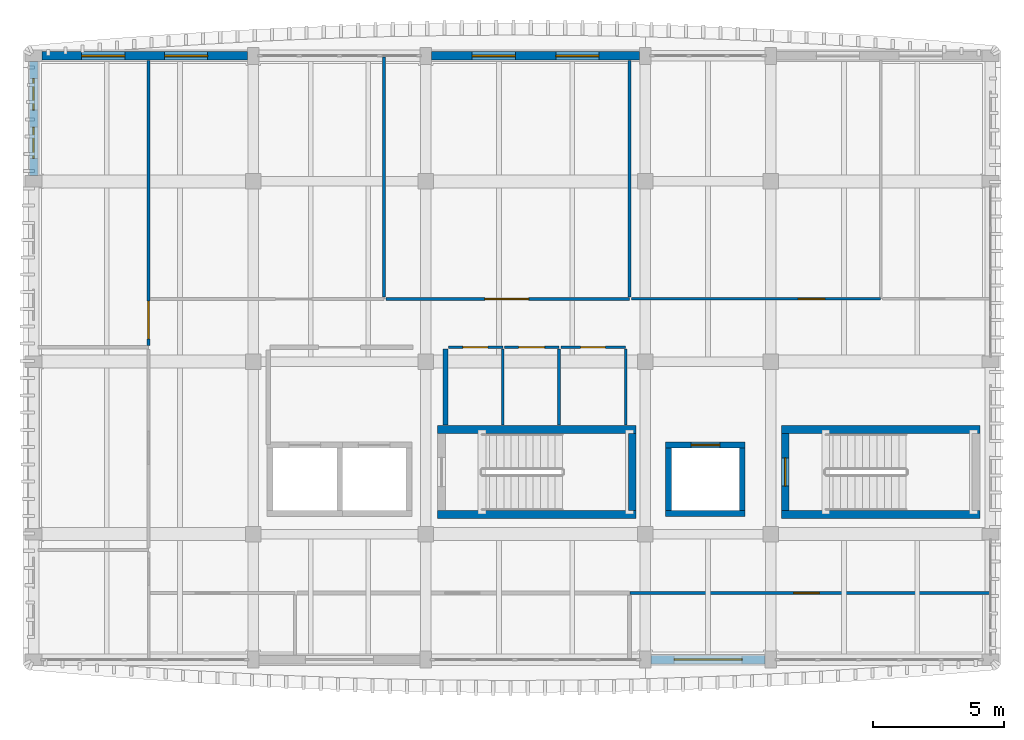
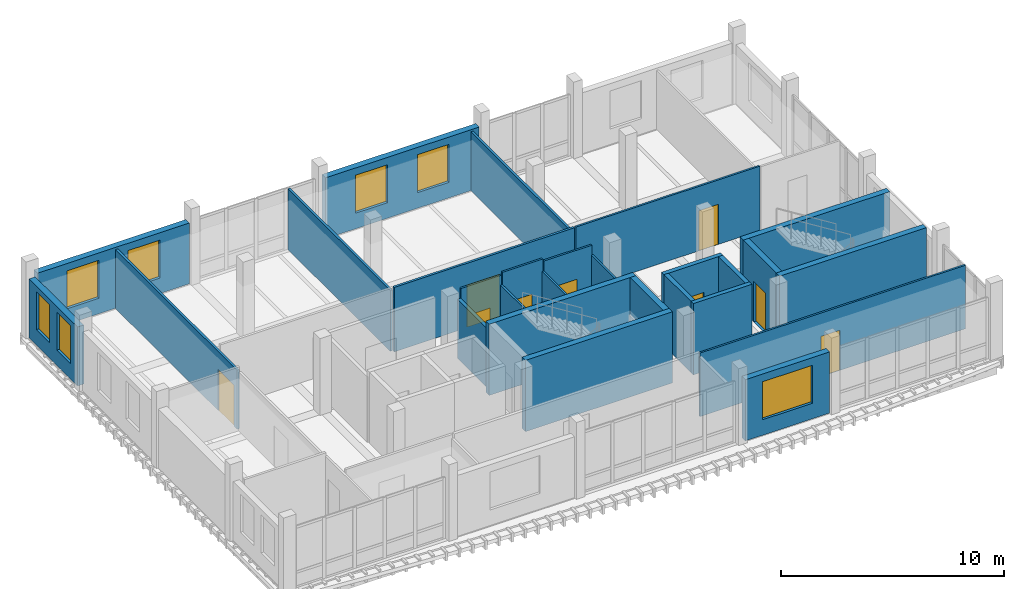
# One storey, part 8 of 16: 27 walls, 9 doors, 7 windows, 16 openings.
"""IFC4 building model written with IfcOpenShell, lengths in metres."""

from ifc_helpers import new_model, si_unit, direction, frame, frame_2d, origin, place, context, subcontext, project, spatial, rectangle, extrude, material, layer, layer_set, type_object, element, fill, save


model = new_model("IFC4")

# Units and contexts
model_context = context("Model", 3, precision=1e-05, world=origin(), true_north=direction((0.0, 1.0)))
body_context = subcontext(model_context, "Body", "Model", "MODEL_VIEW")
ifc_project = project(units=[si_unit("LENGTHUNIT", "METRE"), si_unit("AREAUNIT", "SQUARE_METRE"), si_unit("VOLUMEUNIT", "CUBIC_METRE"), si_unit("PLANEANGLEUNIT", "RADIAN"), si_unit("MASSUNIT", "GRAM", prefix="KILO")], contexts=[model_context])

# Site, building, storey
site_placement = place(None, origin())
site = spatial("IfcSite", under=ifc_project, at=site_placement, CompositionType="ELEMENT")
building_placement = place(site_placement, origin())
building = spatial("IfcBuilding", under=site, at=building_placement, Name="Dornvale Research Institute", CompositionType="ELEMENT")
storey_placement = place(building_placement, frame((0.0, 0.0, 38.39990234375)))
storey = spatial("IfcBuildingStorey", under=building, at=storey_placement, Name="L08", CompositionType="ELEMENT", Elevation=38.39990234375)

# Wall, opening, door
ifc_material_1 = material(Name="Acoustic Insulated Double-Stud Laboratory Partition")
ifc_layer_1 = layer(ifc_material_1, 0.1201171875)
ifc_layer_set_1 = layer_set([ifc_layer_1], Name="Acoustic Insulated Double-Stud Laboratory Partition")
wall_type_1 = type_object("IfcWallType", Name="Partition_Dry_120", PredefinedType="PARTITIONING", material=ifc_layer_set_1)
wall_1_placement = place(storey_placement, frame((9.199951171875, 111.02490234375, 0.0), z_axis=(0.0, 0.0, 1.0), x_axis=(0.0, 1.0, 0.0)))
wall_1 = element("IfcWall", 1, at=wall_1_placement, inside=storey, type_object=wall_type_1, Name="L08 V5 interior partition #568", PredefinedType="PARTITIONING", context=body_context, shape_type="SweptSolid", body=[
    extrude(rectangle(XDim=10.900146484375, YDim=0.1201171875, at=frame_2d((5.4501953125, 0.0))), origin(), (0.0, 0.0, 1.0), 3.22998046875),
])
opening_1_placement = place(wall_1_placement, frame((0.25, 0.0, 0.0)))
opening_1 = element("IfcOpeningElement", 2, at=opening_1_placement, cuts=wall_1, Name="Opening ID-07", PredefinedType="OPENING", context=body_context, shape_type="SweptSolid", body=[
    extrude(rectangle(XDim=1.43994140625, YDim=2.25, at=frame_2d((0.719970703125, 1.125))), frame((0.0, 0.074951171875, 0.0), z_axis=(0.0, -1.0, 0.0), x_axis=(1.0, 0.0, 0.0)), (0.0, 0.0, 1.0), 0.150146484375),
])
ifc_material_2 = material(Name="Insulated Fire-Rated Hollow Metal Door Assembly")
door_type_1 = type_object("IfcDoorType", Name="Door_DryLab_1440x2250", OperationType="SINGLE_SWING_LEFT", PredefinedType="DOOR", material=ifc_material_2)
door_1_placement = place(opening_1_placement, origin())
door_1 = element("IfcDoor", 3, at=door_1_placement, inside=storey, type_object=door_type_1, Name="L08 Theoretical Biophysics Laboratory West Alcove door #237", OperationType="SINGLE_SWING_RIGHT", OverallHeight=2.25, OverallWidth=1.43994140625, PredefinedType="DOOR", context=body_context, shape_type="SweptSolid", body=[
    extrude(rectangle(XDim=1.43994140625, YDim=2.25, at=frame_2d((0.719970703125, 1.125))), frame((0.0, 0.02490234375, 0.0), z_axis=(0.0, -1.0, 0.0), x_axis=(1.0, 0.0, 0.0)), (0.0, 0.0, 1.0), 0.050048828125),
])
fill(opening_1, door_1)

# Wall
wall_2_placement = place(storey_placement, frame((18.199951171875, 112.875, 0.0), z_axis=(0.0, 0.0, 1.0), x_axis=(0.0, 1.0, 0.0)))
element("IfcWall", 4, at=wall_2_placement, inside=storey, type_object=wall_type_1, Name="L08 V5 interior partition #570", PredefinedType="PARTITIONING", context=body_context, shape_type="SweptSolid", body=[
    extrude(rectangle(XDim=9.18505859375, YDim=0.1201171875, at=frame_2d((4.592529296875, 0.0))), origin(), (0.0, 0.0, 1.0), 3.330078125),
])

# Wall, opening, door
wall_3_placement = place(storey_placement, frame((18.27490234375, 112.800048828125, 0.0), z_axis=(0.0, 0.0, 1.0), x_axis=(1.0, 0.0, 0.0)))
wall_3 = element("IfcWall", 5, at=wall_3_placement, inside=storey, type_object=wall_type_1, Name="L08 V5 interior partition #571", PredefinedType="PARTITIONING", context=body_context, shape_type="SweptSolid", body=[
    extrude(rectangle(XDim=9.3251953125, YDim=0.1201171875, at=frame_2d((4.66259765625, 0.0))), origin(), (0.0, 0.0, 1.0), 3.530029296875),
])
opening_2_placement = place(wall_3_placement, frame((3.784912109375, 0.0, 0.0)))
opening_2 = element("IfcOpeningElement", 6, at=opening_2_placement, cuts=wall_3, Name="Opening ID-11", PredefinedType="OPENING", context=body_context, shape_type="SweptSolid", body=[
    extrude(rectangle(XDim=1.679931640625, YDim=2.300048828125, at=frame_2d((0.83984375, 1.14990234375))), frame((0.0, 0.074951171875, 0.0), z_axis=(0.0, -1.0, 0.0), x_axis=(1.0, 0.0, 0.0)), (0.0, 0.0, 1.0), 0.150146484375),
])
ifc_material_3 = material(Name="Phenolic-Faced Solid-Core Laboratory Door Assembly")
door_type_2 = type_object("IfcDoorType", Name="Door_Seminar_1680x2300", OperationType="SINGLE_SWING_LEFT", PredefinedType="DOOR", material=ifc_material_3)
door_2_placement = place(opening_2_placement, origin())
door_2 = element("IfcDoor", 7, at=door_2_placement, inside=storey, type_object=door_type_2, Name="L08 Data Visualization Seminar Studio door #239", OperationType="DOUBLE_DOOR_SINGLE_SWING", OverallHeight=2.300048828125, OverallWidth=1.679931640625, PredefinedType="DOOR", context=body_context, shape_type="SweptSolid", body=[
    extrude(rectangle(XDim=1.679931640625, YDim=2.300048828125, at=frame_2d((0.83984375, 1.14990234375))), frame((0.0, 0.02490234375, 0.0), z_axis=(0.0, -1.0, 0.0), x_axis=(1.0, 0.0, 0.0)), (0.0, 0.0, 1.0), 0.050048828125),
])
fill(opening_2, door_2)

# Walls
wall_4_placement = place(storey_placement, frame((27.60009765625, 112.875, 0.0), z_axis=(0.0, 0.0, 1.0), x_axis=(0.0, 1.0, 0.0)))
element("IfcWall", 8, at=wall_4_placement, inside=storey, type_object=wall_type_1, Name="L08 V5 interior partition #572", PredefinedType="PARTITIONING", context=body_context, shape_type="SweptSolid", body=[
    extrude(rectangle(XDim=9.050048828125, YDim=0.1201171875, at=frame_2d((4.52490234375, 0.0))), origin(), (0.0, 0.0, 1.0), 3.22998046875),
])
ifc_material_4 = material(Name="Fire-Rated Gypsum Board on Cold-Formed Steel Studs", Category="steel")
ifc_layer_2 = layer(ifc_material_4, 0.179931640625)
ifc_layer_set_2 = layer_set([ifc_layer_2], Name="Fire-Rated Gypsum Board on Cold-Formed Steel Studs")
wall_type_2 = type_object("IfcWallType", Name="Partition_FireLobby_180", PredefinedType="PARTITIONING", material=ifc_layer_set_2)
wall_5_placement = place(storey_placement, frame((20.56005859375, 107.97998046875, 0.0), z_axis=(0.0, 0.0, 1.0), x_axis=(0.0, 1.0, 0.0)))
element("IfcWall", 9, at=wall_5_placement, inside=storey, type_object=wall_type_2, Name="L08 Fire Service Access Elevator Lobby east rated partition", PredefinedType="PARTITIONING", context=body_context, shape_type="SweptSolid", body=[
    extrude(rectangle(XDim=2.909912109375, YDim=0.179931640625, at=frame_2d((1.455078125, 0.0))), origin(), (0.0, 0.0, 1.0), 3.22998046875),
])

# Wall, opening, door
ifc_material_5 = material(Name="Acoustic Insulated Double-Stud Laboratory Partition")
ifc_layer_3 = layer(ifc_material_5, 0.10009765625)
ifc_layer_set_3 = layer_set([ifc_layer_3], Name="Acoustic Insulated Double-Stud Laboratory Partition")
wall_type_3 = type_object("IfcWallType", Name="Partition_Office_100", PredefinedType="PARTITIONING", material=ifc_layer_set_3)
wall_6_placement = place(storey_placement, frame((20.6650390625, 110.949951171875, 0.0), z_axis=(0.0, 0.0, 1.0), x_axis=(1.0, 0.0, 0.0)))
wall_6 = element("IfcWall", 10, at=wall_6_placement, inside=storey, type_object=wall_type_3, Name="L08 V5 interior partition #559", PredefinedType="PARTITIONING", context=body_context, shape_type="SweptSolid", body=[
    extrude(rectangle(XDim=2.0849609375, YDim=0.10009765625, at=frame_2d((1.04248046875, 0.0))), origin(), (0.0, 0.0, 1.0), 3.7451171875),
])
opening_3_placement = place(wall_6_placement, frame((0.56005859375, 0.0, 0.0)))
opening_3 = element("IfcOpeningElement", 11, at=opening_3_placement, cuts=wall_6, Name="Opening ID-23", PredefinedType="OPENING", context=body_context, shape_type="SweptSolid", body=[
    extrude(rectangle(XDim=0.949951171875, YDim=2.14990234375, at=frame_2d((0.47509765625, 1.074951171875))), frame((0.0, 0.06494140625, 0.0), z_axis=(0.0, -1.0, 0.0), x_axis=(1.0, 0.0, 0.0)), (0.0, 0.0, 1.0), 0.130126953125),
])
ifc_material_6 = material(Name="Phenolic-Faced Solid-Core Laboratory Door Assembly")
door_type_3 = type_object("IfcDoorType", Name="Door_WC_950x2150", OperationType="SINGLE_SWING_LEFT", PredefinedType="DOOR", material=ifc_material_6)
door_3_placement = place(opening_3_placement, origin())
door_3 = element("IfcDoor", 12, at=door_3_placement, inside=storey, type_object=door_type_3, Name="L08 Male Restroom L08 door #233", OperationType="SINGLE_SWING_RIGHT", OverallHeight=2.14990234375, OverallWidth=0.949951171875, PredefinedType="DOOR", context=body_context, shape_type="SweptSolid", body=[
    extrude(rectangle(XDim=0.949951171875, YDim=2.14990234375, at=frame_2d((0.47509765625, 1.074951171875))), frame((0.0, 0.02490234375, 0.0), z_axis=(0.0, -1.0, 0.0), x_axis=(1.0, 0.0, 0.0)), (0.0, 0.0, 1.0), 0.050048828125),
])
fill(opening_3, door_3)

# Wall
wall_7_placement = place(storey_placement, frame((22.75, 107.97998046875, 0.0), z_axis=(0.0, 0.0, 1.0), x_axis=(0.0, 1.0, 0.0)))
element("IfcWall", 13, at=wall_7_placement, inside=storey, type_object=wall_type_3, Name="L08 V5 interior partition #560", PredefinedType="PARTITIONING", context=body_context, shape_type="SweptSolid", body=[
    extrude(rectangle(XDim=2.905029296875, YDim=0.10009765625, at=frame_2d((1.45263671875, 0.0))), origin(), (0.0, 0.0, 1.0), 3.22998046875),
])

# Wall, opening, door
wall_8_placement = place(storey_placement, frame((22.81494140625, 110.949951171875, 0.0), z_axis=(0.0, 0.0, 1.0), x_axis=(1.0, 0.0, 0.0)))
wall_8 = element("IfcWall", 14, at=wall_8_placement, inside=storey, type_object=wall_type_3, Name="L08 V5 interior partition #561", PredefinedType="PARTITIONING", context=body_context, shape_type="SweptSolid", body=[
    extrude(rectangle(XDim=2.0849609375, YDim=0.10009765625, at=frame_2d((1.04248046875, 0.0))), origin(), (0.0, 0.0, 1.0), 3.880126953125),
])
opening_4_placement = place(wall_8_placement, frame((0.534912109375, 0.0, 0.0)))
opening_4 = element("IfcOpeningElement", 15, at=opening_4_placement, cuts=wall_8, Name="Opening ID-24", PredefinedType="OPENING", context=body_context, shape_type="SweptSolid", body=[
    extrude(rectangle(XDim=1.0, YDim=2.14990234375, at=frame_2d((0.5, 1.074951171875))), frame((0.0, 0.06494140625, 0.0), z_axis=(0.0, -1.0, 0.0), x_axis=(1.0, 0.0, 0.0)), (0.0, 0.0, 1.0), 0.130126953125),
])
ifc_material_7 = material(Name="Phenolic-Faced Solid-Core Laboratory Door Assembly")
door_type_4 = type_object("IfcDoorType", Name="Door_AccWC_1000x2150", OperationType="SINGLE_SWING_LEFT", PredefinedType="DOOR", material=ifc_material_7)
door_4_placement = place(opening_4_placement, origin())
door_4 = element("IfcDoor", 16, at=door_4_placement, inside=storey, type_object=door_type_4, Name="L08 Female Restroom L08 door #234", OperationType="SINGLE_SWING_LEFT", OverallHeight=2.14990234375, OverallWidth=1.0, PredefinedType="DOOR", context=body_context, shape_type="SweptSolid", body=[
    extrude(rectangle(XDim=1.0, YDim=2.14990234375, at=frame_2d((0.5, 1.074951171875))), frame((0.0, 0.02490234375, 0.0), z_axis=(0.0, -1.0, 0.0), x_axis=(1.0, 0.0, 0.0)), (0.0, 0.0, 1.0), 0.050048828125),
])
fill(opening_4, door_4)

# Wall
wall_9_placement = place(storey_placement, frame((24.89990234375, 107.97998046875, 0.0), z_axis=(0.0, 0.0, 1.0), x_axis=(0.0, 1.0, 0.0)))
element("IfcWall", 17, at=wall_9_placement, inside=storey, type_object=wall_type_3, Name="L08 V5 interior partition #562", PredefinedType="PARTITIONING", context=body_context, shape_type="SweptSolid", body=[
    extrude(rectangle(XDim=2.905029296875, YDim=0.10009765625, at=frame_2d((1.45263671875, 0.0))), origin(), (0.0, 0.0, 1.0), 3.22998046875),
])

# Wall, opening, door
wall_10_placement = place(storey_placement, frame((24.965087890625, 110.949951171875, 0.0), z_axis=(0.0, 0.0, 1.0), x_axis=(1.0, 0.0, 0.0)))
wall_10 = element("IfcWall", 18, at=wall_10_placement, inside=storey, type_object=wall_type_3, Name="L08 V5 interior partition #563", PredefinedType="PARTITIONING", context=body_context, shape_type="SweptSolid", body=[
    extrude(rectangle(XDim=2.48486328125, YDim=0.10009765625, at=frame_2d((1.242431640625, 0.0))), origin(), (0.0, 0.0, 1.0), 3.7451171875),
])
opening_5_placement = place(wall_10_placement, frame((0.760009765625, 0.0, 0.0)))
opening_5 = element("IfcOpeningElement", 19, at=opening_5_placement, cuts=wall_10, Name="Opening ID-23", PredefinedType="OPENING", context=body_context, shape_type="SweptSolid", body=[
    extrude(rectangle(XDim=0.949951171875, YDim=2.14990234375, at=frame_2d((0.47509765625, 1.074951171875))), frame((0.0, 0.06494140625, 0.0), z_axis=(0.0, -1.0, 0.0), x_axis=(1.0, 0.0, 0.0)), (0.0, 0.0, 1.0), 0.130126953125),
])
door_5_placement = place(opening_5_placement, origin())
door_5 = element("IfcDoor", 20, at=door_5_placement, inside=storey, type_object=door_type_3, Name="L08 Accessible Restroom L08 door #235", OperationType="SINGLE_SWING_RIGHT", OverallHeight=2.14990234375, OverallWidth=0.949951171875, PredefinedType="DOOR", context=body_context, shape_type="SweptSolid", body=[
    extrude(rectangle(XDim=0.949951171875, YDim=2.14990234375, at=frame_2d((0.47509765625, 1.074951171875))), frame((0.0, 0.02490234375, 0.0), z_axis=(0.0, -1.0, 0.0), x_axis=(1.0, 0.0, 0.0)), (0.0, 0.0, 1.0), 0.050048828125),
])
fill(opening_5, door_5)

# Wall
wall_11_placement = place(storey_placement, frame((27.449951171875, 107.97998046875, 0.0), z_axis=(0.0, 0.0, 1.0), x_axis=(0.0, 1.0, 0.0)))
element("IfcWall", 21, at=wall_11_placement, inside=storey, type_object=wall_type_3, Name="L08 V5 interior partition #564", PredefinedType="PARTITIONING", context=body_context, shape_type="SweptSolid", body=[
    extrude(rectangle(XDim=2.905029296875, YDim=0.10009765625, at=frame_2d((1.45263671875, 0.0))), origin(), (0.0, 0.0, 1.0), 3.22998046875),
])

# Wall, opening, door
wall_12_placement = place(storey_placement, frame((27.675048828125, 112.800048828125, 0.0), z_axis=(0.0, 0.0, 1.0), x_axis=(1.0, 0.0, 0.0)))
wall_12 = element("IfcWall", 22, at=wall_12_placement, inside=storey, type_object=wall_type_3, Name="L08 V5 interior partition #573", PredefinedType="PARTITIONING", context=body_context, shape_type="SweptSolid", body=[
    extrude(rectangle(XDim=9.52490234375, YDim=0.10009765625, at=frame_2d((4.762451171875, 0.0))), origin(), (0.0, 0.0, 1.0), 3.530029296875),
])
opening_6_placement = place(wall_12_placement, frame((6.364990234375, 0.0, 0.0)))
opening_6 = element("IfcOpeningElement", 23, at=opening_6_placement, cuts=wall_12, Name="Opening ID-20", PredefinedType="OPENING", context=body_context, shape_type="SweptSolid", body=[
    extrude(rectangle(XDim=1.02001953125, YDim=2.199951171875, at=frame_2d((0.510009765625, 1.10009765625))), frame((0.0, 0.06494140625, 0.0), z_axis=(0.0, -1.0, 0.0), x_axis=(1.0, 0.0, 0.0)), (0.0, 0.0, 1.0), 0.130126953125),
])
ifc_material_8 = material(Name="Phenolic-Faced Solid-Core Laboratory Door Assembly")
door_type_5 = type_object("IfcDoorType", Name="Door_WriteUp_1020x2200", OperationType="SINGLE_SWING_LEFT", PredefinedType="DOOR", material=ifc_material_8)
door_6_placement = place(opening_6_placement, origin())
door_6 = element("IfcDoor", 24, at=door_6_placement, inside=storey, type_object=door_type_5, Name="L08 Postdoctoral Write-Up Studio L08 door #240", OperationType="SINGLE_SWING_LEFT", OverallHeight=2.199951171875, OverallWidth=1.02001953125, PredefinedType="DOOR", context=body_context, shape_type="SweptSolid", body=[
    extrude(rectangle(XDim=1.02001953125, YDim=2.199951171875, at=frame_2d((0.510009765625, 1.10009765625))), frame((0.0, 0.02490234375, 0.0), z_axis=(0.0, -1.0, 0.0), x_axis=(1.0, 0.0, 0.0)), (0.0, 0.0, 1.0), 0.050048828125),
])
fill(opening_6, door_6)

wall_13_placement = place(storey_placement, frame((27.614990234375, 101.550048828125, 0.0), z_axis=(0.0, 0.0, 1.0), x_axis=(1.0, 0.0, 0.0)))
wall_13 = element("IfcWall", 25, at=wall_13_placement, inside=storey, type_object=wall_type_3, Name="L08 V5 interior partition #581", PredefinedType="PARTITIONING", context=body_context, shape_type="SweptSolid", body=[
    extrude(rectangle(XDim=13.7451171875, YDim=0.10009765625, at=frame_2d((6.87255859375, 0.0))), origin(), (0.0, 0.0, 1.0), 3.47998046875),
])
opening_7_placement = place(wall_13_placement, frame((6.2548828125, 0.0, 0.0)))
opening_7 = element("IfcOpeningElement", 26, at=opening_7_placement, cuts=wall_13, Name="Opening ID-21", PredefinedType="OPENING", context=body_context, shape_type="SweptSolid", body=[
    extrude(rectangle(XDim=0.97998046875, YDim=2.199951171875, at=frame_2d((0.489990234375, 1.10009765625))), frame((0.0, 0.06494140625, 0.0), z_axis=(0.0, -1.0, 0.0), x_axis=(1.0, 0.0, 0.0)), (0.0, 0.0, 1.0), 0.130126953125),
])
ifc_material_9 = material(Name="Phenolic-Faced Solid-Core Laboratory Door Assembly")
door_type_6 = type_object("IfcDoorType", Name="Door_Office_980x2200", OperationType="SINGLE_SWING_LEFT", PredefinedType="DOOR", material=ifc_material_9)
door_7_placement = place(opening_7_placement, origin())
door_7 = element("IfcDoor", 27, at=door_7_placement, inside=storey, type_object=door_type_6, Name="L08 Faculty Office Suite L08-S door #245", OperationType="SINGLE_SWING_RIGHT", OverallHeight=2.199951171875, OverallWidth=0.97998046875, PredefinedType="DOOR", context=body_context, shape_type="SweptSolid", body=[
    extrude(rectangle(XDim=0.97998046875, YDim=2.199951171875, at=frame_2d((0.489990234375, 1.10009765625))), frame((0.0, 0.02490234375, 0.0), z_axis=(0.0, -1.0, 0.0), x_axis=(1.0, 0.0, 0.0)), (0.0, 0.0, 1.0), 0.050048828125),
])
fill(opening_7, door_7)

# Walls
ifc_material_10 = material(Name="Concrete f'c 50 MPa (C40/50)", Category="concrete")
ifc_layer_4 = layer(ifc_material_10, 0.300048828125)
ifc_layer_set_4 = layer_set([ifc_layer_4], Name="Concrete f'c 50 MPa (C40/50)")
wall_type_4 = type_object("IfcWallType", Name="ShearWall_Core_300", PredefinedType="SHEAR", material=ifc_layer_set_4)
for number, where, z_axis, x_axis, name in (
    (28, (20.25, 104.550048828125, 0.0), (0.0, 0.0, 1.0), (1.0, 0.0, 0.0), "L08 ST-1 shaft shear wall south"),
    (29, (20.25, 107.81005859375, 0.0), (0.0, 0.0, 1.0), (1.0, 0.0, 0.0), "L08 ST-1 shaft shear wall north"),
):
    element("IfcWall", number, at=place(storey_placement, frame(where, z_axis=z_axis, x_axis=x_axis)), inside=storey, type_object=wall_type_4, Name=name, PredefinedType="SHEAR", context=body_context, shape_type="SweptSolid", body=[
        extrude(rectangle(XDim=7.60009765625, YDim=0.300048828125, at=frame_2d((3.800048828125, 0.0))), origin(), (0.0, 0.0, 1.0), 3.900146484375),
    ])
wall_14_placement = place(storey_placement, frame((27.699951171875, 104.699951171875, 0.0), z_axis=(0.0, 0.0, 1.0), x_axis=(0.0, 1.0, 0.0)))
element("IfcWall", 30, at=wall_14_placement, inside=storey, type_object=wall_type_4, Name="L08 ST-1 shaft shear wall east", PredefinedType="SHEAR", context=body_context, shape_type="SweptSolid", body=[
    extrude(rectangle(XDim=2.9599609375, YDim=0.300048828125, at=frame_2d((1.47998046875, 0.0))), origin(), (0.0, 0.0, 1.0), 3.900146484375),
])
for number, where, z_axis, x_axis, name in (
    (31, (33.39990234375, 104.550048828125, 0.0), (0.0, 0.0, 1.0), (1.0, 0.0, 0.0), "L08 ST-2 shaft shear wall south"),
    (32, (33.39990234375, 107.81005859375, 0.0), (0.0, 0.0, 1.0), (1.0, 0.0, 0.0), "L08 ST-2 shaft shear wall north"),
):
    element("IfcWall", number, at=place(storey_placement, frame(where, z_axis=z_axis, x_axis=x_axis)), inside=storey, type_object=wall_type_4, Name=name, PredefinedType="SHEAR", context=body_context, shape_type="SweptSolid", body=[
        extrude(rectangle(XDim=7.60009765625, YDim=0.300048828125, at=frame_2d((3.800048828125, 0.0))), origin(), (0.0, 0.0, 1.0), 3.900146484375),
    ])

# Wall, opening, door
wall_15_placement = place(storey_placement, frame((33.550048828125, 104.699951171875, 0.0), z_axis=(0.0, 0.0, 1.0), x_axis=(0.0, 1.0, 0.0)))
wall_15 = element("IfcWall", 33, at=wall_15_placement, inside=storey, type_object=wall_type_4, Name="L08 ST-2 shaft shear wall west", PredefinedType="SHEAR", context=body_context, shape_type="SweptSolid", body=[
    extrude(rectangle(XDim=2.9599609375, YDim=0.300048828125, at=frame_2d((1.47998046875, 0.0))), origin(), (0.0, 0.0, 1.0), 3.900146484375),
])
opening_8_placement = place(wall_15_placement, frame((0.93994140625, 0.0, 0.0)))
opening_8 = element("IfcOpeningElement", 34, at=opening_8_placement, cuts=wall_15, Name="Opening SD-02", PredefinedType="OPENING", context=body_context, shape_type="SweptSolid", body=[
    extrude(rectangle(XDim=1.080078125, YDim=2.199951171875, at=frame_2d((0.5400390625, 1.10009765625))), frame((0.0, 0.1650390625, 0.0), z_axis=(0.0, -1.0, 0.0), x_axis=(1.0, 0.0, 0.0)), (0.0, 0.0, 1.0), 0.330078125),
])
ifc_material_11 = material(Name="Insulated Fire-Rated Hollow Metal Door Assembly")
door_type_7 = type_object("IfcDoorType", Name="Door_Stair_1080x2200", OperationType="SINGLE_SWING_LEFT", PredefinedType="DOOR", material=ifc_material_11)
door_8_placement = place(opening_8_placement, origin())
door_8 = element("IfcDoor", 35, at=door_8_placement, inside=storey, type_object=door_type_7, Name="L08 ST-2 exit stair door #22", OperationType="SINGLE_SWING_LEFT", OverallHeight=2.199951171875, OverallWidth=1.080078125, PredefinedType="DOOR", context=body_context, shape_type="SweptSolid", body=[
    extrude(rectangle(XDim=1.080078125, YDim=2.199951171875, at=frame_2d((0.5400390625, 1.10009765625))), frame((0.0, 0.02490234375, 0.0), z_axis=(0.0, -1.0, 0.0), x_axis=(1.0, 0.0, 0.0)), (0.0, 0.0, 1.0), 0.050048828125),
])
fill(opening_8, door_8)

# Wall
ifc_material_12 = material(Name="Concrete f'c 45 MPa (C35/45)", Category="concrete")
ifc_layer_5 = layer(ifc_material_12, 0.219970703125)
ifc_layer_set_5 = layer_set([ifc_layer_5], Name="Concrete f'c 45 MPa (C35/45)")
wall_type_5 = type_object("IfcWallType", Name="ShearWall_Shaft_220", PredefinedType="SHEAR", material=ifc_layer_set_5)
wall_16_placement = place(storey_placement, frame((28.97998046875, 104.590087890625, 0.0), z_axis=(0.0, 0.0, 1.0), x_axis=(1.0, 0.0, 0.0)))
element("IfcWall", 36, at=wall_16_placement, inside=storey, type_object=wall_type_5, Name="L08 LP1 elevator shaft wall south", PredefinedType="SHEAR", context=body_context, shape_type="SweptSolid", body=[
    extrude(rectangle(XDim=3.0400390625, YDim=0.219970703125, at=frame_2d((1.52001953125, 0.0))), origin(), (0.0, 0.0, 1.0), 3.900146484375),
])

# Wall, opening, door
wall_17_placement = place(storey_placement, frame((28.97998046875, 107.2099609375, 0.0), z_axis=(0.0, 0.0, 1.0), x_axis=(1.0, 0.0, 0.0)))
wall_17 = element("IfcWall", 37, at=wall_17_placement, inside=storey, type_object=wall_type_5, Name="L08 LP1 elevator shaft wall north", PredefinedType="SHEAR", context=body_context, shape_type="SweptSolid", body=[
    extrude(rectangle(XDim=3.0400390625, YDim=0.219970703125, at=frame_2d((1.52001953125, 0.0))), origin(), (0.0, 0.0, 1.0), 3.900146484375),
])
opening_9_placement = place(wall_17_placement, frame((0.969970703125, 0.0, 0.0)))
opening_9 = element("IfcOpeningElement", 38, at=opening_9_placement, cuts=wall_17, Name="Opening LD-02", PredefinedType="OPENING", context=body_context, shape_type="SweptSolid", body=[
    extrude(rectangle(XDim=1.10009765625, YDim=2.199951171875, at=frame_2d((0.550048828125, 1.10009765625))), frame((0.0, 0.125, 0.0), z_axis=(0.0, -1.0, 0.0), x_axis=(1.0, 0.0, 0.0)), (0.0, 0.0, 1.0), 0.25),
])
ifc_material_13 = material(Name="Brushed Stainless Steel Sliding Elevator Landing Door", Category="steel")
door_type_8 = type_object("IfcDoorType", Name="Door_LiftLanding_Pass_1100x2200", OperationType="SINGLE_SWING_LEFT", PredefinedType="DOOR", material=ifc_material_13)
door_9_placement = place(opening_9_placement, origin())
door_9 = element("IfcDoor", 39, at=door_9_placement, inside=storey, type_object=door_type_8, Name="L08 LP1 sliding elevator landing door #34", OperationType="SLIDING_TO_LEFT", OverallHeight=2.199951171875, OverallWidth=1.10009765625, PredefinedType="DOOR", context=body_context, shape_type="SweptSolid", body=[
    extrude(rectangle(XDim=1.10009765625, YDim=2.199951171875, at=frame_2d((0.550048828125, 1.10009765625))), frame((0.0, 0.02490234375, 0.0), z_axis=(0.0, -1.0, 0.0), x_axis=(1.0, 0.0, 0.0)), (0.0, 0.0, 1.0), 0.050048828125),
])
fill(opening_9, door_9)

# Walls
for number, where, z_axis, x_axis, name in (
    (40, (29.090087890625, 104.699951171875, 0.0), (0.0, 0.0, 1.0), (0.0, 1.0, 0.0), "L08 LP1 elevator shaft wall west"),
    (41, (31.909912109375, 104.699951171875, 0.0), (0.0, 0.0, 1.0), (0.0, 1.0, 0.0), "L08 LP1 elevator shaft wall east"),
):
    element("IfcWall", number, at=place(storey_placement, frame(where, z_axis=z_axis, x_axis=x_axis)), inside=storey, type_object=wall_type_5, Name=name, PredefinedType="SHEAR", context=body_context, shape_type="SweptSolid", body=[
        extrude(rectangle(XDim=2.400146484375, YDim=0.219970703125, at=frame_2d((1.2001953125, 0.0))), origin(), (0.0, 0.0, 1.0), 3.900146484375),
    ])

# Wall, openings, windows
ifc_material_14 = material(Name="Catalan Pressed Brick and Insulated Cavity Assembly", Category="masonry")
ifc_layer_6 = layer(ifc_material_14, 0.320068359375)
ifc_layer_set_6 = layer_set([ifc_layer_6], Name="Catalan Pressed Brick and Insulated Cavity Assembly")
wall_type_6 = type_object("IfcWallType", Name="StandardWall_BrickCavity_320", PredefinedType="STANDARD", material=ifc_layer_set_6)
wall_18_placement = place(storey_placement, frame((4.800048828125, 117.52490234375, 0.0), z_axis=(0.0, 0.0, 1.0), x_axis=(0.0, 1.0, 0.0)))
wall_18 = element("IfcWall", 42, at=wall_18_placement, inside=storey, type_object=wall_type_6, Name="L08 V5 west exterior wall #395", PredefinedType="STANDARD", context=body_context, shape_type="SweptSolid", body=[
    extrude(rectangle(XDim=4.35009765625, YDim=0.320068359375, at=frame_2d((2.175048828125, 0.0))), origin(), (0.0, 0.0, 1.0), 3.22998046875),
])
opening_10_placement = place(wall_18_placement, frame((0.64990234375, 0.0, 0.85009765625)))
opening_10 = element("IfcOpeningElement", 43, at=opening_10_placement, cuts=wall_18, Name="Opening W-37", PredefinedType="OPENING", context=body_context, shape_type="SweptSolid", body=[
    extrude(rectangle(XDim=1.199951171875, YDim=2.080078125, at=frame_2d((0.60009765625, 1.0400390625))), frame((0.0, 0.175048828125, 0.0), z_axis=(0.0, -1.0, 0.0), x_axis=(1.0, 0.0, 0.0)), (0.0, 0.0, 1.0), 0.35009765625),
])
opening_11_placement = place(wall_18_placement, frame((2.5, 0.0, 0.85009765625)))
opening_11 = element("IfcOpeningElement", 44, at=opening_11_placement, cuts=wall_18, Name="Opening W-37", PredefinedType="OPENING", context=body_context, shape_type="SweptSolid", body=[
    extrude(rectangle(XDim=1.199951171875, YDim=2.080078125, at=frame_2d((0.60009765625, 1.0400390625))), frame((0.0, 0.175048828125, 0.0), z_axis=(0.0, -1.0, 0.0), x_axis=(1.0, 0.0, 0.0)), (0.0, 0.0, 1.0), 0.35009765625),
])
ifc_material_15 = material(Name="Low-E Argon Double Insulating Glazing Unit", Category="glass")
window_type_1 = type_object("IfcWindowType", Name="Window_Alu_1200x2080_37", PartitioningType="SINGLE_PANEL", PredefinedType="WINDOW", material=ifc_material_15)
window_1_placement = place(opening_10_placement, origin())
window_1 = element("IfcWindow", 45, at=window_1_placement, inside=storey, type_object=window_type_1, Name="L08 V5 facade window W-37 #525", OverallHeight=2.080078125, OverallWidth=1.199951171875, PartitioningType="SINGLE_PANEL", PredefinedType="WINDOW", context=body_context, shape_type="SweptSolid", body=[
    extrude(rectangle(XDim=1.199951171875, YDim=2.080078125, at=frame_2d((0.60009765625, 1.0400390625))), frame((0.0, 0.030029296875, 0.0), z_axis=(0.0, -1.0, 0.0), x_axis=(1.0, 0.0, 0.0)), (0.0, 0.0, 1.0), 0.06005859375),
])
fill(opening_10, window_1)
window_2_placement = place(opening_11_placement, origin())
window_2 = element("IfcWindow", 46, at=window_2_placement, inside=storey, type_object=window_type_1, Name="L08 V5 facade window W-37 #526", OverallHeight=2.080078125, OverallWidth=1.199951171875, PartitioningType="SINGLE_PANEL", PredefinedType="WINDOW", context=body_context, shape_type="SweptSolid", body=[
    extrude(rectangle(XDim=1.199951171875, YDim=2.080078125, at=frame_2d((0.60009765625, 1.0400390625))), frame((0.0, 0.030029296875, 0.0), z_axis=(0.0, -1.0, 0.0), x_axis=(1.0, 0.0, 0.0)), (0.0, 0.0, 1.0), 0.06005859375),
])
fill(opening_11, window_2)

wall_19_placement = place(storey_placement, frame((5.125, 122.10009765625, 0.0), z_axis=(0.0, 0.0, 1.0), x_axis=(1.0, 0.0, 0.0)))
wall_19 = element("IfcWall", 47, at=wall_19_placement, inside=storey, type_object=wall_type_6, Name="L08 V5 north exterior wall #396", PredefinedType="STANDARD", context=body_context, shape_type="SweptSolid", body=[
    extrude(rectangle(XDim=7.85009765625, YDim=0.320068359375, at=frame_2d((3.925048828125, 0.0))), origin(), (0.0, 0.0, 1.0), 3.330078125),
])
opening_12_placement = place(wall_19_placement, frame((1.5166015625, 0.0, 0.85009765625)))
opening_12 = element("IfcOpeningElement", 48, at=opening_12_placement, cuts=wall_19, Name="Opening W-40", PredefinedType="OPENING", context=body_context, shape_type="SweptSolid", body=[
    extrude(rectangle(XDim=1.64990234375, YDim=2.080078125, at=frame_2d((0.824951171875, 1.0400390625))), frame((0.0, 0.175048828125, 0.0), z_axis=(0.0, -1.0, 0.0), x_axis=(1.0, 0.0, 0.0)), (0.0, 0.0, 1.0), 0.35009765625),
])
opening_13_placement = place(wall_19_placement, frame((4.683349609375, 0.0, 0.85009765625)))
opening_13 = element("IfcOpeningElement", 49, at=opening_13_placement, cuts=wall_19, Name="Opening W-40", PredefinedType="OPENING", context=body_context, shape_type="SweptSolid", body=[
    extrude(rectangle(XDim=1.64990234375, YDim=2.080078125, at=frame_2d((0.824951171875, 1.0400390625))), frame((0.0, 0.175048828125, 0.0), z_axis=(0.0, -1.0, 0.0), x_axis=(1.0, 0.0, 0.0)), (0.0, 0.0, 1.0), 0.35009765625),
])
ifc_material_16 = material(Name="Low-E Argon Double Insulating Glazing Unit", Category="glass")
window_type_2 = type_object("IfcWindowType", Name="Window_Alu_1650x2080_40", PartitioningType="SINGLE_PANEL", PredefinedType="WINDOW", material=ifc_material_16)
window_3_placement = place(opening_12_placement, origin())
window_3 = element("IfcWindow", 50, at=window_3_placement, inside=storey, type_object=window_type_2, Name="L08 V5 facade window W-40 #527", OverallHeight=2.080078125, OverallWidth=1.64990234375, PartitioningType="SINGLE_PANEL", PredefinedType="WINDOW", context=body_context, shape_type="SweptSolid", body=[
    extrude(rectangle(XDim=1.64990234375, YDim=2.080078125, at=frame_2d((0.824951171875, 1.0400390625))), frame((0.0, 0.030029296875, 0.0), z_axis=(0.0, -1.0, 0.0), x_axis=(1.0, 0.0, 0.0)), (0.0, 0.0, 1.0), 0.06005859375),
])
fill(opening_12, window_3)
window_4_placement = place(opening_13_placement, origin())
window_4 = element("IfcWindow", 51, at=window_4_placement, inside=storey, type_object=window_type_2, Name="L08 V5 facade window W-40 #528", OverallHeight=2.080078125, OverallWidth=1.64990234375, PartitioningType="SINGLE_PANEL", PredefinedType="WINDOW", context=body_context, shape_type="SweptSolid", body=[
    extrude(rectangle(XDim=1.64990234375, YDim=2.080078125, at=frame_2d((0.824951171875, 1.0400390625))), frame((0.0, 0.030029296875, 0.0), z_axis=(0.0, -1.0, 0.0), x_axis=(1.0, 0.0, 0.0)), (0.0, 0.0, 1.0), 0.06005859375),
])
fill(opening_13, window_4)

wall_20_placement = place(storey_placement, frame((20.02490234375, 122.10009765625, 0.0), z_axis=(0.0, 0.0, 1.0), x_axis=(1.0, 0.0, 0.0)))
wall_20 = element("IfcWall", 52, at=wall_20_placement, inside=storey, type_object=wall_type_6, Name="L08 V5 north exterior wall #397", PredefinedType="STANDARD", context=body_context, shape_type="SweptSolid", body=[
    extrude(rectangle(XDim=7.9501953125, YDim=0.320068359375, at=frame_2d((3.97509765625, 0.0))), origin(), (0.0, 0.0, 1.0), 3.330078125),
])
opening_14_placement = place(wall_20_placement, frame((1.550048828125, 0.0, 0.85009765625)))
opening_14 = element("IfcOpeningElement", 53, at=opening_14_placement, cuts=wall_20, Name="Opening W-40", PredefinedType="OPENING", context=body_context, shape_type="SweptSolid", body=[
    extrude(rectangle(XDim=1.64990234375, YDim=2.080078125, at=frame_2d((0.824951171875, 1.0400390625))), frame((0.0, 0.175048828125, 0.0), z_axis=(0.0, -1.0, 0.0), x_axis=(1.0, 0.0, 0.0)), (0.0, 0.0, 1.0), 0.35009765625),
])
opening_15_placement = place(wall_20_placement, frame((4.75, 0.0, 0.85009765625)))
opening_15 = element("IfcOpeningElement", 54, at=opening_15_placement, cuts=wall_20, Name="Opening W-40", PredefinedType="OPENING", context=body_context, shape_type="SweptSolid", body=[
    extrude(rectangle(XDim=1.64990234375, YDim=2.080078125, at=frame_2d((0.824951171875, 1.0400390625))), frame((0.0, 0.175048828125, 0.0), z_axis=(0.0, -1.0, 0.0), x_axis=(1.0, 0.0, 0.0)), (0.0, 0.0, 1.0), 0.35009765625),
])
window_5_placement = place(opening_14_placement, origin())
window_5 = element("IfcWindow", 55, at=window_5_placement, inside=storey, type_object=window_type_2, Name="L08 V5 facade window W-40 #529", OverallHeight=2.080078125, OverallWidth=1.64990234375, PartitioningType="SINGLE_PANEL", PredefinedType="WINDOW", context=body_context, shape_type="SweptSolid", body=[
    extrude(rectangle(XDim=1.64990234375, YDim=2.080078125, at=frame_2d((0.824951171875, 1.0400390625))), frame((0.0, 0.030029296875, 0.0), z_axis=(0.0, -1.0, 0.0), x_axis=(1.0, 0.0, 0.0)), (0.0, 0.0, 1.0), 0.06005859375),
])
fill(opening_14, window_5)
window_6_placement = place(opening_15_placement, origin())
window_6 = element("IfcWindow", 56, at=window_6_placement, inside=storey, type_object=window_type_2, Name="L08 V5 facade window W-40 #530", OverallHeight=2.080078125, OverallWidth=1.64990234375, PartitioningType="SINGLE_PANEL", PredefinedType="WINDOW", context=body_context, shape_type="SweptSolid", body=[
    extrude(rectangle(XDim=1.64990234375, YDim=2.080078125, at=frame_2d((0.824951171875, 1.0400390625))), frame((0.0, 0.030029296875, 0.0), z_axis=(0.0, -1.0, 0.0), x_axis=(1.0, 0.0, 0.0)), (0.0, 0.0, 1.0), 0.06005859375),
])
fill(opening_15, window_6)

# Wall, opening, window
wall_21_placement = place(storey_placement, frame((32.77490234375, 99.0, 0.0), z_axis=(0.0, 0.0, 1.0), x_axis=(-1.0, 0.0, 0.0)))
wall_21 = element("IfcWall", 57, at=wall_21_placement, inside=storey, type_object=wall_type_6, Name="L08 V5 south exterior wall #401", PredefinedType="STANDARD", context=body_context, shape_type="SweptSolid", body=[
    extrude(rectangle(XDim=4.349853515625, YDim=0.320068359375, at=frame_2d((2.1748046875, 0.0))), origin(), (0.0, 0.0, 1.0), 3.35009765625),
])
opening_16_placement = place(wall_21_placement, frame((0.875, 0.0, 0.85009765625)))
opening_16 = element("IfcOpeningElement", 58, at=opening_16_placement, cuts=wall_21, Name="Opening W-46", PredefinedType="OPENING", context=body_context, shape_type="SweptSolid", body=[
    extrude(rectangle(XDim=2.60009765625, YDim=2.080078125, at=frame_2d((1.300048828125, 1.0400390625))), frame((0.0, 0.175048828125, 0.0), z_axis=(0.0, -1.0, 0.0), x_axis=(1.0, 0.0, 0.0)), (0.0, 0.0, 1.0), 0.35009765625),
])
ifc_material_17 = material(Name="Low-E Argon Double Insulating Glazing Unit", Category="glass")
window_type_3 = type_object("IfcWindowType", Name="Window_Alu_2600x2080_46", PartitioningType="DOUBLE_PANEL_VERTICAL", PredefinedType="WINDOW", material=ifc_material_17)
window_7_placement = place(opening_16_placement, origin())
window_7 = element("IfcWindow", 59, at=window_7_placement, inside=storey, type_object=window_type_3, Name="L08 V5 facade window W-46 #536", OverallHeight=2.080078125, OverallWidth=2.60009765625, PartitioningType="DOUBLE_PANEL_VERTICAL", PredefinedType="WINDOW", context=body_context, shape_type="SweptSolid", body=[
    extrude(rectangle(XDim=2.60009765625, YDim=2.080078125, at=frame_2d((1.300048828125, 1.0400390625))), frame((0.0, 0.030029296875, 0.0), z_axis=(0.0, -1.0, 0.0), x_axis=(1.0, 0.0, 0.0)), (0.0, 0.0, 1.0), 0.06005859375),
])
fill(opening_16, window_7)

save(model, "model.ifc")
